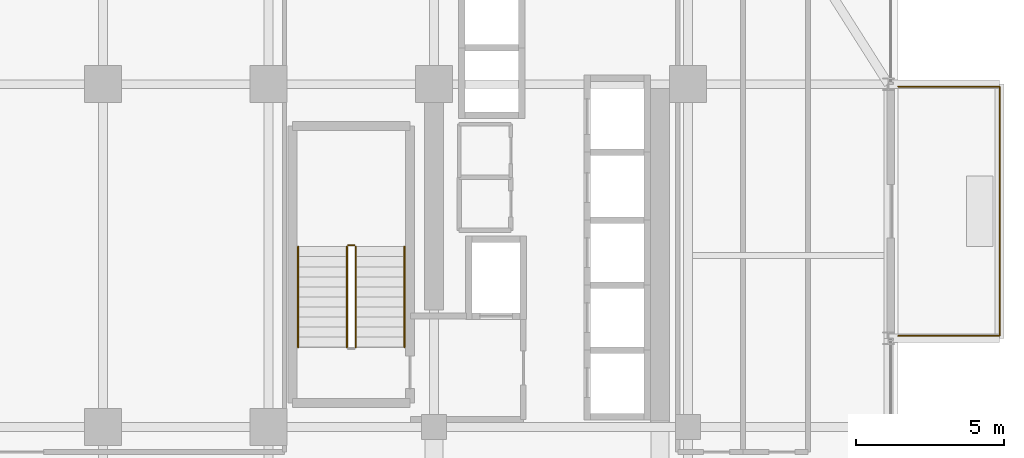
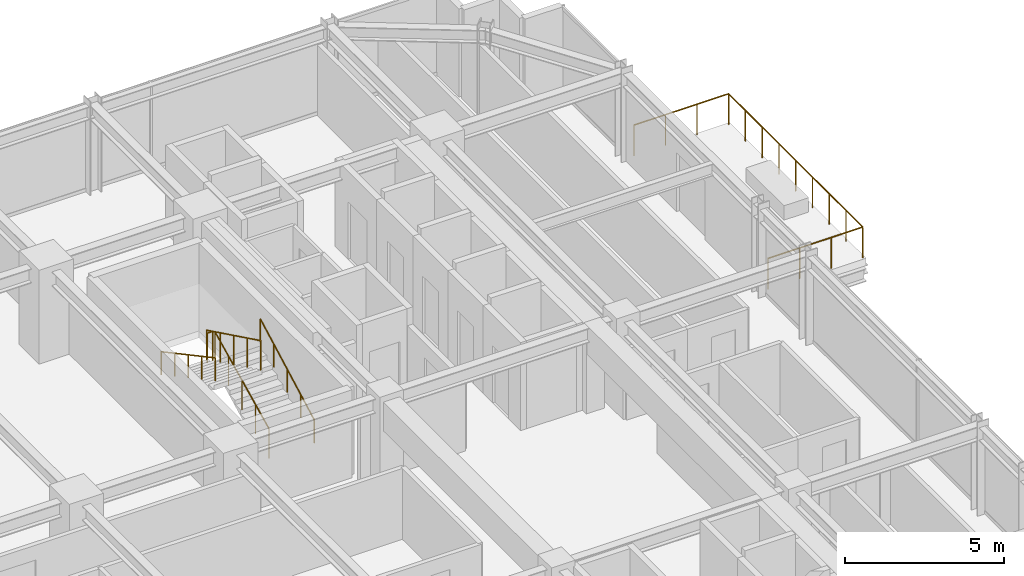
# One storey, part 32 of 33: 6 railings.
"""IFC4 building model written with IfcOpenShell, lengths in metres."""

from ifc_helpers import new_model, si_unit, direction, frame, origin, origin_2d, place, context, subcontext, project, spatial, circle, extrude, material, type_object, element, save


model = new_model("IFC4")

# Units and contexts
model_context = context("Model", 3, precision=1e-05, world=origin(), true_north=direction((0.0, 1.0)))
body_context = subcontext(model_context, "Body", "Model", "MODEL_VIEW")
ifc_project = project(units=[si_unit("LENGTHUNIT", "METRE"), si_unit("AREAUNIT", "SQUARE_METRE"), si_unit("VOLUMEUNIT", "CUBIC_METRE"), si_unit("PLANEANGLEUNIT", "RADIAN"), si_unit("MASSUNIT", "GRAM", prefix="KILO")], contexts=[model_context])

# Site, building, storey
site_placement = place(None, origin())
site = spatial("IfcSite", under=ifc_project, at=site_placement, CompositionType="ELEMENT")
building_placement = place(site_placement, origin())
building = spatial("IfcBuilding", under=site, at=building_placement, Name="Nahalor Promenade Grand Hotel", CompositionType="ELEMENT")
storey_placement = place(building_placement, frame((0.0, 0.0, 117.5)))
storey = spatial("IfcBuildingStorey", under=building, at=storey_placement, Name="L29", CompositionType="ELEMENT", Elevation=117.5)

# Railings
ifc_material_1 = material(Name="Anodised Bronze Aluminium EN AW-6063 T6", Category="aluminium")
railing_type_1 = type_object("IfcRailingType", Name="Bronze Balcony Guardrail 1200 mm", PredefinedType="GUARDRAIL", material=ifc_material_1)
railing_1_placement = place(storey_placement, frame((24.10009765625, 8.47998046875, 0.0)))
element("IfcRailing", 1, at=railing_1_placement, inside=storey, type_object=railing_type_1, Name="L29 Balcony Guardrail 2", PredefinedType="GUARDRAIL", context=body_context, shape_type="SweptSolid", body=[
    extrude(circle(Radius=0.024048, at=origin_2d()), frame((0.0, 0.0, 1.17578125), z_axis=(1.0, 0.0, 0.0), x_axis=(0.0, 1.0, 0.0)), (0.0, 0.0, 1.0), 3.43798828125),
    extrude(circle(Radius=0.024048, at=origin_2d()), frame((3.43994140625, 0.001953125, 1.17578125), z_axis=(0.0, 1.0, 0.0), x_axis=(-1.0, 0.0, 0.0)), (0.0, 0.0, 1.0), 8.43603515625),
    extrude(circle(Radius=0.024048, at=origin_2d()), frame((3.43798828125, 8.43994140625, 1.17578125), z_axis=(-1.0, 0.0, 0.0), x_axis=(0.0, -1.0, 0.0)), (0.0, 0.0, 1.0), 3.43798828125),
    extrude(circle(Radius=0.020996, at=origin_2d()), origin(), (0.0, 0.0, 1.0), 1.14990234375),
    extrude(circle(Radius=0.020996, at=origin_2d()), frame((1.146728515625, 0.0, 0.0)), (0.0, 0.0, 1.0), 1.14990234375),
    extrude(circle(Radius=0.020996, at=origin_2d()), frame((2.293212890625, 0.0, 0.0)), (0.0, 0.0, 1.0), 1.14990234375),
    extrude(circle(Radius=0.020996, at=origin_2d()), frame((3.43994140625, 0.0, 0.0)), (0.0, 0.0, 1.0), 1.14990234375),
    extrude(circle(Radius=0.020996, at=origin_2d()), frame((3.43994140625, 1.054931640625, 0.0)), (0.0, 0.0, 1.0), 1.14990234375),
    extrude(circle(Radius=0.020996, at=origin_2d()), frame((3.43994140625, 2.10986328125, 0.0)), (0.0, 0.0, 1.0), 1.14990234375),
    extrude(circle(Radius=0.020996, at=origin_2d()), frame((3.43994140625, 3.1650390625, 0.0)), (0.0, 0.0, 1.0), 1.14990234375),
    extrude(circle(Radius=0.020996, at=origin_2d()), frame((3.43994140625, 4.219970703125, 0.0)), (0.0, 0.0, 1.0), 1.14990234375),
    extrude(circle(Radius=0.020996, at=origin_2d()), frame((3.43994140625, 5.27490234375, 0.0)), (0.0, 0.0, 1.0), 1.14990234375),
    extrude(circle(Radius=0.020996, at=origin_2d()), frame((3.43994140625, 6.330078125, 0.0)), (0.0, 0.0, 1.0), 1.14990234375),
    extrude(circle(Radius=0.020996, at=origin_2d()), frame((3.43994140625, 7.385009765625, 0.0)), (0.0, 0.0, 1.0), 1.14990234375),
    extrude(circle(Radius=0.020996, at=origin_2d()), frame((3.43994140625, 8.43994140625, 0.0)), (0.0, 0.0, 1.0), 1.14990234375),
    extrude(circle(Radius=0.020996, at=origin_2d()), frame((2.293212890625, 8.43994140625, 0.0)), (0.0, 0.0, 1.0), 1.14990234375),
    extrude(circle(Radius=0.020996, at=origin_2d()), frame((1.146728515625, 8.43994140625, 0.0)), (0.0, 0.0, 1.0), 1.14990234375),
    extrude(circle(Radius=0.020996, at=origin_2d()), frame((0.0, 8.43994140625, 0.0)), (0.0, 0.0, 1.0), 1.14990234375),
])
ifc_material_2 = material(Name="Steel S355JR", Category="steel")
railing_type_2 = type_object("IfcRailingType", Name="Steel Stair Guardrail 1150 mm", PredefinedType="GUARDRAIL", material=ifc_material_2)
railing_2_placement = place(storey_placement, frame((5.75, 8.10009765625, 0.166015625)))
element("IfcRailing", 2, at=railing_2_placement, inside=storey, type_object=railing_type_2, Name="L29 ST1 stair guard 1", PredefinedType="GUARDRAIL", context=body_context, shape_type="SweptSolid", body=[
    extrude(circle(Radius=0.024048, at=origin_2d()), frame((0.0, 0.0, 1.1259765625), z_axis=(0.0, 0.898721922897, 0.438518990814), x_axis=(-1.0, 0.0, 0.0)), (0.0, 0.0, 1.0), 3.782958984375),
    extrude(circle(Radius=0.020996, at=origin_2d()), origin(), (0.0, 0.0, 1.0), 1.099853515625),
    extrude(circle(Radius=0.020996, at=origin_2d()), frame((0.0, 0.85009765625, 0.414794921875)), (0.0, 0.0, 1.0), 1.099853515625),
    extrude(circle(Radius=0.020996, at=origin_2d()), frame((0.0, 1.699951171875, 0.82958984375)), (0.0, 0.0, 1.0), 1.099853515625),
    extrude(circle(Radius=0.020996, at=origin_2d()), frame((0.0, 2.5498046875, 1.244140625)), (0.0, 0.0, 1.0), 1.099853515625),
    extrude(circle(Radius=0.020996, at=origin_2d()), frame((0.0, 3.39990234375, 1.658935546875)), (0.0, 0.0, 1.0), 1.099853515625),
])
railing_3_placement = place(storey_placement, frame((5.699951171875, 11.550048828125, 1.824951171875)))
element("IfcRailing", 3, at=railing_3_placement, inside=storey, type_object=railing_type_2, Name="L29 ST1 stair guard 2", PredefinedType="GUARDRAIL", context=body_context, shape_type="SweptSolid", body=[
    extrude(circle(Radius=0.024048, at=origin_2d()), frame((0.0, 0.0, 1.1259765625), z_axis=(-1.0, 0.0, 0.0), x_axis=(0.0, -1.0, 0.0)), (0.0, 0.0, 1.0), 0.199951171875),
    extrude(circle(Radius=0.020996, at=origin_2d()), origin(), (0.0, 0.0, 1.0), 1.099853515625),
    extrude(circle(Radius=0.020996, at=origin_2d()), frame((-0.199951171875, 0.0, 0.0)), (0.0, 0.0, 1.0), 1.099853515625),
])
railing_4_placement = place(storey_placement, frame((5.449951171875, 11.5, 1.990966796875)))
element("IfcRailing", 4, at=railing_4_placement, inside=storey, type_object=railing_type_2, Name="L29 ST1 stair guard 3", PredefinedType="GUARDRAIL", context=body_context, shape_type="SweptSolid", body=[
    extrude(circle(Radius=0.024048, at=origin_2d()), frame((0.0, 0.0, 1.1259765625), z_axis=(0.0, -0.898721922897, 0.438518990814), x_axis=(1.0, 0.0, 0.0)), (0.0, 0.0, 1.0), 3.782958984375),
    extrude(circle(Radius=0.020996, at=origin_2d()), origin(), (0.0, 0.0, 1.0), 1.099853515625),
    extrude(circle(Radius=0.020996, at=origin_2d()), frame((0.0, -0.85009765625, 0.414794921875)), (0.0, 0.0, 1.0), 1.099853515625),
    extrude(circle(Radius=0.020996, at=origin_2d()), frame((0.0, -1.699951171875, 0.82958984375)), (0.0, 0.0, 1.0), 1.099853515625),
    extrude(circle(Radius=0.020996, at=origin_2d()), frame((0.0, -2.5498046875, 1.244140625)), (0.0, 0.0, 1.0), 1.099853515625),
    extrude(circle(Radius=0.020996, at=origin_2d()), frame((0.0, -3.39990234375, 1.658935546875)), (0.0, 0.0, 1.0), 1.099853515625),
])
railing_type_3 = type_object("IfcRailingType", Name="Steel Stair Handrail 900 mm", PredefinedType="HANDRAIL", material=ifc_material_2)
railing_5_placement = place(storey_placement, frame((7.39990234375, 8.10009765625, 0.166015625)))
element("IfcRailing", 5, at=railing_5_placement, inside=storey, type_object=railing_type_3, Name="L29 ST1 stair handrail 1", PredefinedType="HANDRAIL", context=body_context, shape_type="SweptSolid", body=[
    extrude(circle(Radius=0.024048, at=origin_2d()), frame((0.0, 0.0, 0.8759765625), z_axis=(0.0, 0.881094038095, 0.47294111265), x_axis=(-1.0, 0.0, 0.0)), (0.0, 0.0, 1.0), 3.858642578125),
    extrude(circle(Radius=0.020996, at=origin_2d()), origin(), (0.0, 0.0, 1.0), 0.849853515625),
    extrude(circle(Radius=0.020996, at=origin_2d()), frame((0.0, 0.85009765625, 0.456298828125)), (0.0, 0.0, 1.0), 0.849853515625),
    extrude(circle(Radius=0.020996, at=origin_2d()), frame((0.0, 1.699951171875, 0.91259765625)), (0.0, 0.0, 1.0), 0.849853515625),
    extrude(circle(Radius=0.020996, at=origin_2d()), frame((0.0, 2.5498046875, 1.36865234375)), (0.0, 0.0, 1.0), 0.849853515625),
    extrude(circle(Radius=0.020996, at=origin_2d()), frame((0.0, 3.39990234375, 1.824951171875)), (0.0, 0.0, 1.0), 0.849853515625),
])
railing_6_placement = place(storey_placement, frame((3.800048828125, 11.5, 1.990966796875)))
element("IfcRailing", 6, at=railing_6_placement, inside=storey, type_object=railing_type_3, Name="L29 ST1 stair handrail 2", PredefinedType="HANDRAIL", context=body_context, shape_type="SweptSolid", body=[
    extrude(circle(Radius=0.024048, at=origin_2d()), frame((0.0, 0.0, 0.8759765625), z_axis=(0.0, -0.881094038095, 0.47294111265), x_axis=(1.0, 0.0, 0.0)), (0.0, 0.0, 1.0), 3.858642578125),
    extrude(circle(Radius=0.020996, at=origin_2d()), origin(), (0.0, 0.0, 1.0), 0.849853515625),
    extrude(circle(Radius=0.020996, at=origin_2d()), frame((0.0, -0.85009765625, 0.456298828125)), (0.0, 0.0, 1.0), 0.849853515625),
    extrude(circle(Radius=0.020996, at=origin_2d()), frame((0.0, -1.699951171875, 0.91259765625)), (0.0, 0.0, 1.0), 0.849853515625),
    extrude(circle(Radius=0.020996, at=origin_2d()), frame((0.0, -2.5498046875, 1.36865234375)), (0.0, 0.0, 1.0), 0.849853515625),
    extrude(circle(Radius=0.020996, at=origin_2d()), frame((0.0, -3.39990234375, 1.824951171875)), (0.0, 0.0, 1.0), 0.849853515625),
])

save(model, "model.ifc")
